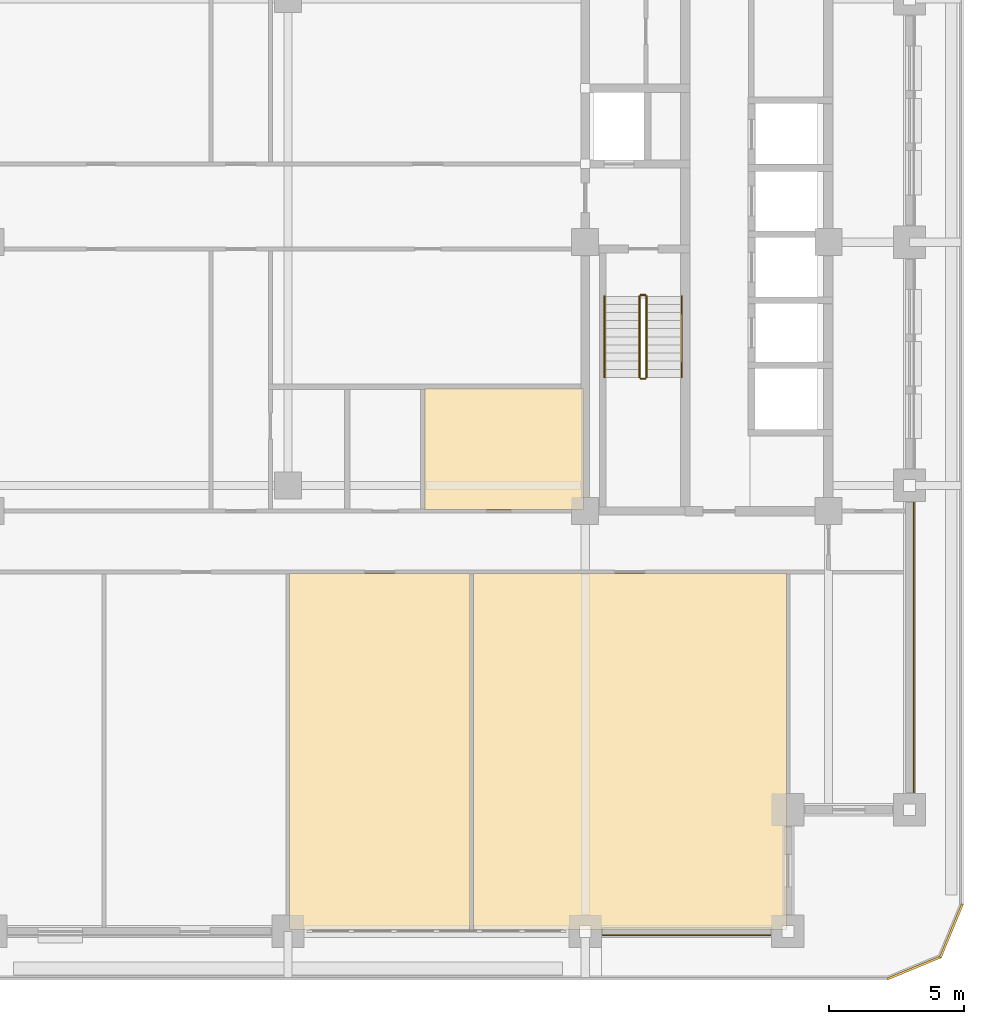
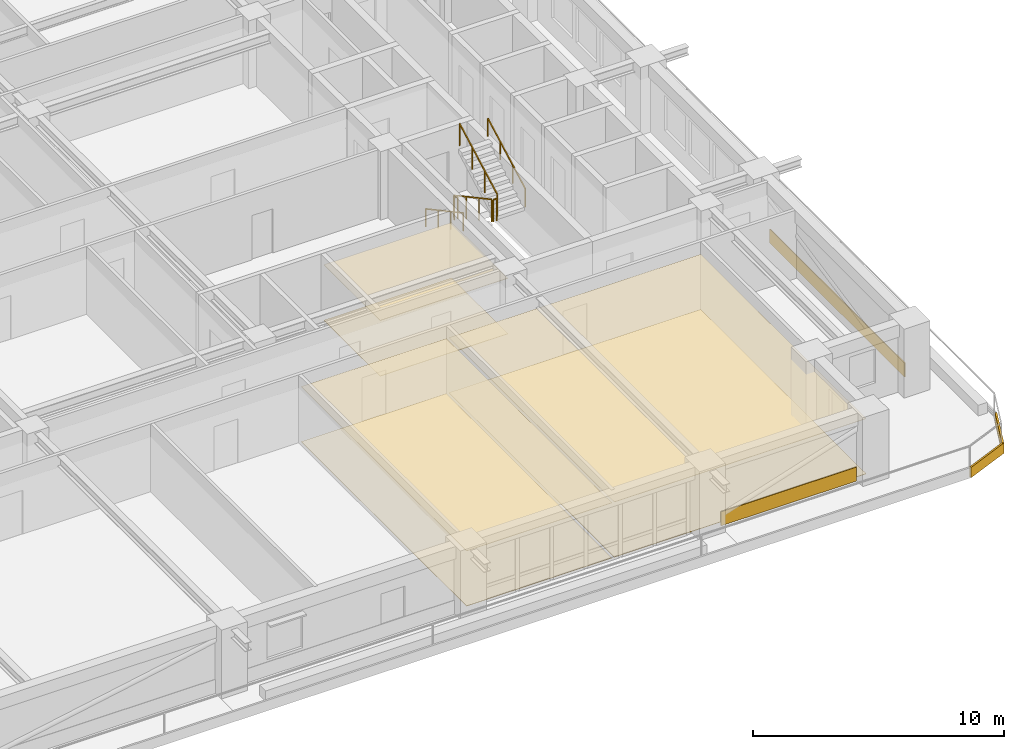
# One storey, part 19 of 20: 10 coverings, 6 railings.
"""IFC4 building model written with IfcOpenShell, lengths in metres."""

from ifc_helpers import new_model, si_unit, direction, frame, frame_2d, origin, origin_2d, place, context, subcontext, project, spatial, polyline, rectangle, outline, extrude, material, layer, layer_set, type_object, element, save


model = new_model("IFC4")

# Units and contexts
model_context = context("Model", 3, precision=1e-05, world=origin(), true_north=direction((0.0, 1.0)))
body_context = subcontext(model_context, "Body", "Model", "MODEL_VIEW")
ifc_project = project(units=[si_unit("LENGTHUNIT", "METRE"), si_unit("AREAUNIT", "SQUARE_METRE"), si_unit("VOLUMEUNIT", "CUBIC_METRE"), si_unit("PLANEANGLEUNIT", "RADIAN"), si_unit("MASSUNIT", "GRAM", prefix="KILO")], contexts=[model_context])

# Site, building, storey
site_placement = place(None, origin())
site = spatial("IfcSite", under=ifc_project, at=site_placement, CompositionType="ELEMENT")
building_placement = place(site_placement, origin())
building = spatial("IfcBuilding", under=site, at=building_placement, Name="Zulmaris Gate Convention Tower", CompositionType="ELEMENT")
storey_placement = place(building_placement, frame((0.0, 0.0, 142.769775390625)))
storey = spatial("IfcBuildingStorey", under=building, at=storey_placement, Name="L36", CompositionType="ELEMENT", Elevation=142.769775390625)

# Coverings
ifc_material_1 = material(Name="Precast concrete C40/50", Category="concrete")
ifc_layer_1 = layer(ifc_material_1, 0.0400390625, Name="Precast concrete C40/50")
ifc_layer_set_1 = layer_set([ifc_layer_1], Name="Precast concrete C40/50")
covering_type_1 = type_object("IfcCoveringType", Name="CLAD-SPANDREL-PRECAST", PredefinedType="CLADDING", material=ifc_layer_set_1)
covering_1_placement = place(storey_placement, frame((11.6298828125, -25.64990234375, 0.0), z_axis=(0.0, 0.0, 1.0), x_axis=(1.0, 0.0, 0.0)))
element("IfcCovering", 1, at=covering_1_placement, inside=storey, type_object=covering_type_1, Name="CLD-L36-S-3_0", PredefinedType="CLADDING", context=body_context, shape_type="SweptSolid", body=[
    extrude(rectangle(XDim=6.240234375, YDim=0.0400390625, at=frame_2d((3.1201171875, 0.0))), origin(), (0.0, 0.0, 1.0), 0.679931640625),
])
covering_2_placement = place(storey_placement, frame((23.14990234375, -20.3701171875, 0.0), z_axis=(0.0, 0.0, 1.0), x_axis=(0.0, 1.0, 0.0)))
element("IfcCovering", 2, at=covering_2_placement, inside=storey, type_object=covering_type_1, Name="CLD-L36-E-0_0", PredefinedType="CLADDING", context=body_context, shape_type="SweptSolid", body=[
    extrude(rectangle(XDim=10.740234375, YDim=0.0400390625, at=frame_2d((5.3701171875, 0.0))), origin(), (0.0, 0.0, 1.0), 0.679931640625),
])
ifc_material_2 = material(Name="White Glazed Architectural Precast Concrete C40/50", Category="concrete")
ifc_layer_2 = layer(ifc_material_2, 0.080078125, Name="White Glazed Architectural Precast Concrete C40/50")
ifc_layer_set_2 = layer_set([ifc_layer_2], Name="White Glazed Architectural Precast Concrete C40/50")
covering_type_2 = type_object("IfcCoveringType", Name="CLAD-TRAY-FASCIA", PredefinedType="CLADDING", material=ifc_layer_set_2)
covering_3_placement = place(storey_placement, frame((22.184814453125, -27.262939453125, -0.364990234375), z_axis=(0.0, 0.0, 1.0), x_axis=(0.923873803533, 0.382697263049, 0.0)))
element("IfcCovering", 3, at=covering_3_placement, inside=storey, type_object=covering_type_2, Name="FSC-L36-TR-03", PredefinedType="CLADDING", context=body_context, shape_type="SweptSolid", body=[
    extrude(rectangle(XDim=2.142822265625, YDim=0.080078125, at=frame_2d((1.0712890625, 0.0))), origin(), (0.0, 0.0, 1.0), 0.5),
])
covering_4_placement = place(storey_placement, frame((24.142822265625, -26.464599609375, -0.364990234375), z_axis=(0.0, 0.0, 1.0), x_axis=(0.382656984709, 0.923890487046, 0.0)))
element("IfcCovering", 4, at=covering_4_placement, inside=storey, type_object=covering_type_2, Name="FSC-L36-TR-04", PredefinedType="CLADDING", context=body_context, shape_type="SweptSolid", body=[
    extrude(rectangle(XDim=2.14306640625, YDim=0.080078125, at=frame_2d((1.071533203125, 0.0))), origin(), (0.0, 0.0, 1.0), 0.5),
])
ifc_material_3 = material(Name="Mineral Fibre Acoustic Ceiling Tile")
ifc_layer_3 = layer(ifc_material_3, 0.02001953125, Name="Mineral Fibre Acoustic Ceiling Tile")
ifc_layer_set_3 = layer_set([ifc_layer_3], Name="Mineral Fibre Acoustic Ceiling Tile")
covering_type_3 = type_object("IfcCoveringType", Name="CLG-ACOUSTIC-600", PredefinedType="CEILING", material=ifc_layer_set_3)
covering_5_placement = place(storey_placement, frame((0.0, 0.0, 2.679931640625)))
element("IfcCovering", 5, at=covering_5_placement, inside=storey, type_object=covering_type_3, Name="CLG-L36-R38", PredefinedType="CEILING", context=body_context, shape_type="SweptSolid", body=[
    extrude(outline(polyline([(0.06005859375, -25.43994140625), (6.739990234375, -25.43994140625), (6.739990234375, -12.260009765625), (0.06005859375, -12.260009765625), (0.06005859375, -25.43994140625)])), origin(), (0.0, 0.0, 1.0), 0.02001953125),
])
covering_6_placement = place(storey_placement, frame((0.0, 0.0, 2.679931640625)))
element("IfcCovering", 6, at=covering_6_placement, inside=storey, type_object=covering_type_3, Name="CLG-L36-R39", PredefinedType="CEILING", context=body_context, shape_type="SweptSolid", body=[
    extrude(outline(polyline([(6.860107421875, -25.43994140625), (18.43994140625, -25.43994140625), (18.43994140625, -12.260009765625), (6.860107421875, -12.260009765625), (6.860107421875, -25.43994140625)])), origin(), (0.0, 0.0, 1.0), 0.02001953125),
])
covering_7_placement = place(storey_placement, frame((0.0, 0.0, 2.703125)))
element("IfcCovering", 7, at=covering_7_placement, inside=storey, type_object=covering_type_3, Name="CLG-L36-R46", PredefinedType="CEILING", context=body_context, shape_type="SweptSolid", body=[
    extrude(outline(polyline([(5.06005859375, -9.889892578125), (10.93994140625, -9.889892578125), (10.93994140625, -5.409912109375), (5.06005859375, -5.409912109375), (5.06005859375, -9.889892578125)])), origin(), (0.0, 0.0, 1.0), 0.02001953125),
])
ifc_material_4 = material(Name="Woven Acoustic Wool Carpet Tile")
ifc_layer_4 = layer(ifc_material_4, 0.02001953125, Name="Woven Acoustic Wool Carpet Tile")
ifc_layer_set_4 = layer_set([ifc_layer_4], Name="Woven Acoustic Wool Carpet Tile")
covering_type_4 = type_object("IfcCoveringType", Name="FLR-CARPET-12", PredefinedType="FLOORING", material=ifc_layer_set_4)
covering_8_placement = place(storey_placement, origin())
element("IfcCovering", 8, at=covering_8_placement, inside=storey, type_object=covering_type_4, Name="FLR-L36-R39", PredefinedType="FLOORING", context=body_context, shape_type="SweptSolid", body=[
    extrude(outline(polyline([(6.860107421875, -25.43994140625), (18.43994140625, -25.43994140625), (18.43994140625, -12.260009765625), (6.860107421875, -12.260009765625), (6.860107421875, -25.43994140625)])), origin(), (0.0, 0.0, 1.0), 0.02001953125),
])
covering_9_placement = place(storey_placement, origin())
element("IfcCovering", 9, at=covering_9_placement, inside=storey, type_object=covering_type_4, Name="FLR-L36-R46", PredefinedType="FLOORING", context=body_context, shape_type="SweptSolid", body=[
    extrude(outline(polyline([(5.06005859375, -9.889892578125), (10.93994140625, -9.889892578125), (10.93994140625, -5.409912109375), (5.06005859375, -5.409912109375), (5.06005859375, -9.889892578125)])), origin(), (0.0, 0.0, 1.0), 0.02001953125),
])
ifc_material_5 = material(Name="Engineered Teak Parquet Flooring")
ifc_layer_5 = layer(ifc_material_5, 0.02001953125, Name="Engineered Teak Parquet Flooring")
ifc_layer_set_5 = layer_set([ifc_layer_5], Name="Engineered Teak Parquet Flooring")
covering_type_5 = type_object("IfcCoveringType", Name="FLR-TIMBER-18", PredefinedType="FLOORING", material=ifc_layer_set_5)
covering_10_placement = place(storey_placement, origin())
element("IfcCovering", 10, at=covering_10_placement, inside=storey, type_object=covering_type_5, Name="FLR-L36-R38", PredefinedType="FLOORING", context=body_context, shape_type="SweptSolid", body=[
    extrude(outline(polyline([(0.06005859375, -25.43994140625), (6.739990234375, -25.43994140625), (6.739990234375, -12.260009765625), (0.06005859375, -12.260009765625), (0.06005859375, -25.43994140625)])), origin(), (0.0, 0.0, 1.0), 0.02001953125),
])

# Railings
ifc_material_6 = material(Name="Painted Galvanised Steel", Category="steel")
railing_type_1 = type_object("IfcRailingType", Name="RL-STG-1150", PredefinedType="GUARDRAIL", material=ifc_material_6)
railing_1_placement = place(storey_placement, frame((13.010009765625, -2.0, 0.162353515625)))
element("IfcRailing", 11, at=railing_1_placement, inside=storey, type_object=railing_type_1, Name="L36 ST-2 stair guard 1", PredefinedType="GUARDRAIL", context=body_context, shape_type="SweptSolid", body=[
    extrude(rectangle(XDim=0.048095703125, YDim=0.048095703125, at=origin_2d()), frame((0.0, 0.0, 1.076171875), z_axis=(0.0, -0.879591569277, 0.475729619907), x_axis=(1.0, 0.0, 0.0)), (0.0, 0.0, 1.0), 3.41064453125),
    extrude(rectangle(XDim=0.0419921875, YDim=0.0419921875, at=origin_2d()), origin(), (0.0, 0.0, 1.0), 1.052001953125),
    extrude(rectangle(XDim=0.0419921875, YDim=0.0419921875, at=origin_2d()), frame((0.0, -1.0, 0.540771484375)), (0.0, 0.0, 1.0), 1.052001953125),
    extrude(rectangle(XDim=0.0419921875, YDim=0.0419921875, at=origin_2d()), frame((0.0, -2.0, 1.081787109375)), (0.0, 0.0, 1.0), 1.052001953125),
    extrude(rectangle(XDim=0.0419921875, YDim=0.0419921875, at=origin_2d()), frame((0.0, -3.0, 1.62255859375)), (0.0, 0.0, 1.0), 1.052001953125),
])
railing_2_placement = place(storey_placement, frame((13.06005859375, -5.050048828125, 1.784912109375)))
element("IfcRailing", 12, at=railing_2_placement, inside=storey, type_object=railing_type_1, Name="L36 ST-2 stair guard 2", PredefinedType="GUARDRAIL", context=body_context, shape_type="SweptSolid", body=[
    extrude(rectangle(XDim=0.048095703125, YDim=0.048095703125, at=origin_2d()), frame((0.0, 0.0, 1.076171875), z_axis=(1.0, 0.0, 0.0), x_axis=(0.0, 1.0, 0.0)), (0.0, 0.0, 1.0), 0.159912109375),
    extrude(rectangle(XDim=0.0419921875, YDim=0.0419921875, at=origin_2d()), origin(), (0.0, 0.0, 1.0), 1.052001953125),
    extrude(rectangle(XDim=0.0419921875, YDim=0.0419921875, at=origin_2d()), frame((0.159912109375, 0.0, 0.0)), (0.0, 0.0, 1.0), 1.052001953125),
])
railing_3_placement = place(storey_placement, frame((13.27001953125, -5.0, 1.947265625)))
element("IfcRailing", 13, at=railing_3_placement, inside=storey, type_object=railing_type_1, Name="L36 ST-2 stair guard 3", PredefinedType="GUARDRAIL", context=body_context, shape_type="SweptSolid", body=[
    extrude(rectangle(XDim=0.048095703125, YDim=0.048095703125, at=origin_2d()), frame((0.0, 0.0, 1.076171875), z_axis=(0.0, 0.8795616155, 0.475784998228), x_axis=(-1.0, 0.0, 0.0)), (0.0, 0.0, 1.0), 3.410888671875),
    extrude(rectangle(XDim=0.0419921875, YDim=0.0419921875, at=origin_2d()), origin(), (0.0, 0.0, 1.0), 1.052001953125),
    extrude(rectangle(XDim=0.0419921875, YDim=0.0419921875, at=origin_2d()), frame((0.0, 1.0, 0.541015625)), (0.0, 0.0, 1.0), 1.052001953125),
    extrude(rectangle(XDim=0.0419921875, YDim=0.0419921875, at=origin_2d()), frame((0.0, 2.0, 1.081787109375)), (0.0, 0.0, 1.0), 1.052001953125),
    extrude(rectangle(XDim=0.0419921875, YDim=0.0419921875, at=origin_2d()), frame((0.0, 3.0, 1.622802734375)), (0.0, 0.0, 1.0), 1.052001953125),
])
railing_4_placement = place(storey_placement, frame((13.06005859375, -1.949951171875, 0.0)))
element("IfcRailing", 14, at=railing_4_placement, inside=storey, type_object=railing_type_1, Name="L36 ST-2 stair guard 4", PredefinedType="GUARDRAIL", context=body_context, shape_type="SweptSolid", body=[
    extrude(rectangle(XDim=0.048095703125, YDim=0.048095703125, at=origin_2d()), frame((0.0, 0.0, 1.076171875), z_axis=(1.0, 0.0, 0.0), x_axis=(0.0, 1.0, 0.0)), (0.0, 0.0, 1.0), 0.159912109375),
    extrude(rectangle(XDim=0.0419921875, YDim=0.0419921875, at=origin_2d()), origin(), (0.0, 0.0, 1.0), 1.052001953125),
    extrude(rectangle(XDim=0.0419921875, YDim=0.0419921875, at=origin_2d()), frame((0.159912109375, 0.0, 0.0)), (0.0, 0.0, 1.0), 1.052001953125),
])
ifc_material_7 = material(Name="Brushed Stainless Steel", Category="steel")
railing_type_2 = type_object("IfcRailingType", Name="RL-STH-900", PredefinedType="HANDRAIL", material=ifc_material_7)
railing_5_placement = place(storey_placement, frame((11.7099609375, -2.0, 0.162353515625)))
element("IfcRailing", 15, at=railing_5_placement, inside=storey, type_object=railing_type_2, Name="L36 ST-2 stair handrail 1", PredefinedType="HANDRAIL", context=body_context, shape_type="SweptSolid", body=[
    extrude(rectangle(XDim=0.048095703125, YDim=0.048095703125, at=origin_2d()), frame((0.0, 0.0, 0.8759765625), z_axis=(0.0, -0.879591569277, 0.475729619907), x_axis=(1.0, 0.0, 0.0)), (0.0, 0.0, 1.0), 3.41064453125),
    extrude(rectangle(XDim=0.0419921875, YDim=0.0419921875, at=origin_2d()), origin(), (0.0, 0.0, 1.0), 0.851806640625),
    extrude(rectangle(XDim=0.0419921875, YDim=0.0419921875, at=origin_2d()), frame((0.0, -1.0, 0.540771484375)), (0.0, 0.0, 1.0), 0.851806640625),
    extrude(rectangle(XDim=0.0419921875, YDim=0.0419921875, at=origin_2d()), frame((0.0, -2.0, 1.081787109375)), (0.0, 0.0, 1.0), 0.851806640625),
    extrude(rectangle(XDim=0.0419921875, YDim=0.0419921875, at=origin_2d()), frame((0.0, -3.0, 1.62255859375)), (0.0, 0.0, 1.0), 0.851806640625),
])
railing_6_placement = place(storey_placement, frame((14.570068359375, -5.0, 1.947265625)))
element("IfcRailing", 16, at=railing_6_placement, inside=storey, type_object=railing_type_2, Name="L36 ST-2 stair handrail 2", PredefinedType="HANDRAIL", context=body_context, shape_type="SweptSolid", body=[
    extrude(rectangle(XDim=0.048095703125, YDim=0.048095703125, at=origin_2d()), frame((0.0, 0.0, 0.8759765625), z_axis=(0.0, 0.8795616155, 0.475784998228), x_axis=(-1.0, 0.0, 0.0)), (0.0, 0.0, 1.0), 3.410888671875),
    extrude(rectangle(XDim=0.0419921875, YDim=0.0419921875, at=origin_2d()), origin(), (0.0, 0.0, 1.0), 0.851806640625),
    extrude(rectangle(XDim=0.0419921875, YDim=0.0419921875, at=origin_2d()), frame((0.0, 1.0, 0.541015625)), (0.0, 0.0, 1.0), 0.851806640625),
    extrude(rectangle(XDim=0.0419921875, YDim=0.0419921875, at=origin_2d()), frame((0.0, 2.0, 1.081787109375)), (0.0, 0.0, 1.0), 0.851806640625),
    extrude(rectangle(XDim=0.0419921875, YDim=0.0419921875, at=origin_2d()), frame((0.0, 3.0, 1.622802734375)), (0.0, 0.0, 1.0), 0.851806640625),
])

save(model, "model.ifc")
